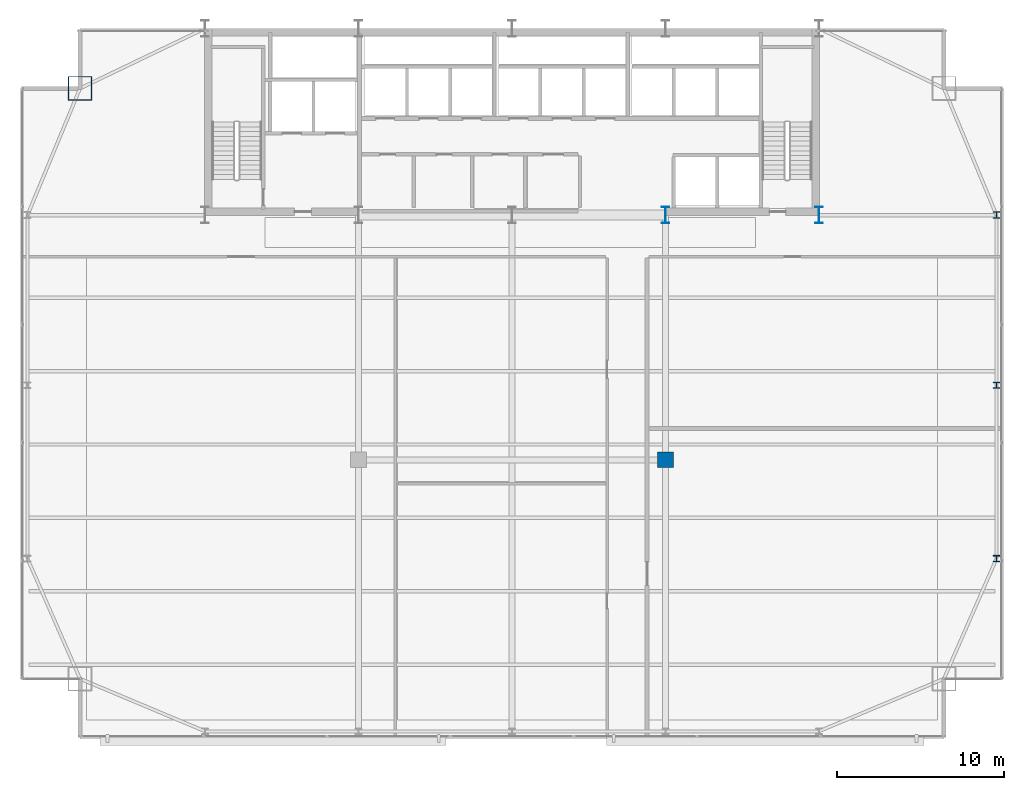
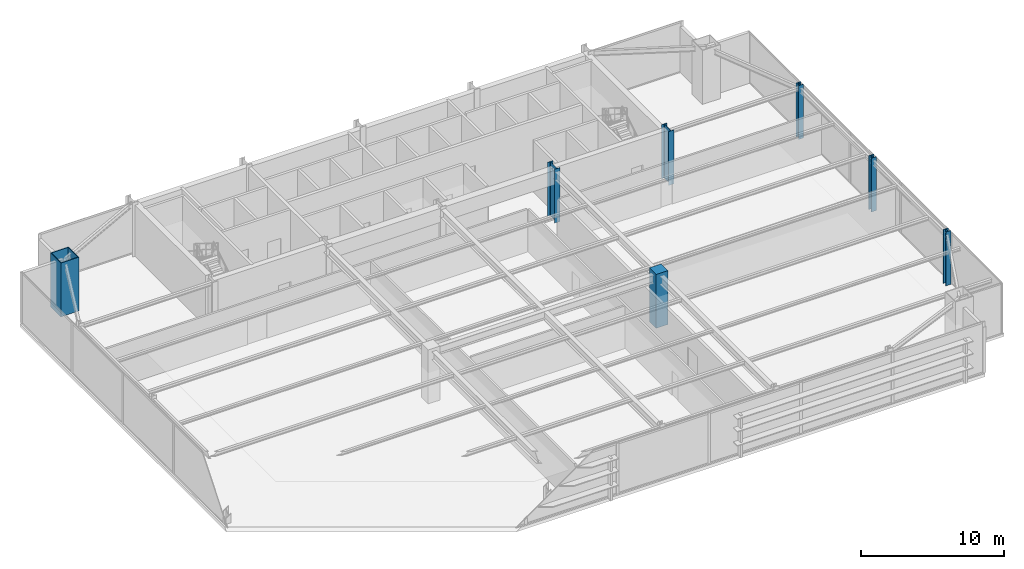
# One storey, part 2 of 32: 7 columns.
"""IFC4 building model written with IfcOpenShell, lengths in metres."""

import ifcopenshell
import ifcopenshell.guid

model = None  # the IFC model being written
_history = None  # IfcOwnerHistory: only IFC2X3 demands one
_inside = {}  # id of a spatial element -> (the spatial element, [elements in it])
_under = {}  # id of a project, library or spatial element -> (it, [spatial elements below it])
_declared = {}  # id of a project -> (the project, [libraries it declares])
_typed = {}  # id of a type object -> (the type object, [elements of that type])
_made_of = {}  # id of a material, layer set ... -> (it, [elements and type objects made of it])


def new_model(schema):
    """Start an empty IFC model of exactly this schema.

    Asked for "IFC4X3", IfcOpenShell would pick the latest addendum, in which some entities
    have other attributes; the version numbers below select the first issue.
    IFC2X3 requires an IfcOwnerHistory on every rooted entity: one is made here for all.
    """
    global model, _history
    if schema == "IFC4X3":
        model = ifcopenshell.file(schema_version=(4, 3, 0, 0))
    else:
        model = ifcopenshell.file(schema=schema)
    _inside.clear()
    _under.clear()
    _declared.clear()
    _typed.clear()
    _made_of.clear()
    _history = None
    if model.schema == "IFC2X3":
        org = make("IfcOrganization", Name="unknown")
        user = make(
            "IfcPersonAndOrganization",
            ThePerson=make("IfcPerson", FamilyName="unknown"),
            TheOrganization=org,
        )
        app = make(
            "IfcApplication",
            ApplicationDeveloper=org,
            Version="unknown",
            ApplicationFullName="unknown",
            ApplicationIdentifier="unknown",
        )
        _history = make(
            "IfcOwnerHistory",
            OwningUser=user,
            OwningApplication=app,
            ChangeAction="ADDED",
            CreationDate=0,
        )
    return model


def make(cls, **values):
    """One entity of the class cls with the attributes given. An attribute that is None is left unset."""
    return model.create_entity(
        cls, **{name: value for name, value in values.items() if value is not None}
    )


def rooted(cls, **values):
    """An entity with a GlobalId (a new one), such as an element, a storey or a relation."""
    return make(cls, GlobalId=ifcopenshell.guid.new(), OwnerHistory=_history, **values)


def si_unit(unit_type, name, prefix=None):
    """IfcSIUnit, for example si_unit("LENGTHUNIT", "METRE", prefix="MILLI")."""
    return make("IfcSIUnit", UnitType=unit_type, Prefix=prefix, Name=name)


def assignment(units):
    """IfcUnitAssignment: the units of a project."""
    return None if units is None else make("IfcUnitAssignment", Units=units)


def point(xyz):
    """IfcCartesianPoint."""
    return None if xyz is None else make("IfcCartesianPoint", Coordinates=xyz)


def direction(xyz):
    """IfcDirection."""
    return None if xyz is None else make("IfcDirection", DirectionRatios=xyz)


def frame(location, z_axis=None, x_axis=None):
    """IfcAxis2Placement3D, a coordinate frame: its origin and axes. An axis left out is left unset."""
    return make(
        "IfcAxis2Placement3D",
        Location=point(location),
        Axis=direction(z_axis),
        RefDirection=direction(x_axis),
    )


def frame_2d(location, x_axis=None):
    """IfcAxis2Placement2D, a coordinate frame in the plane: its origin and x axis."""
    return make(
        "IfcAxis2Placement2D", Location=point(location), RefDirection=direction(x_axis)
    )


def origin():
    """The frame at (0, 0, 0) with its axes left unset."""
    return frame((0.0, 0.0, 0.0))


def origin_2d():
    """The frame at (0, 0) in the plane with its x axis left unset."""
    return frame_2d((0.0, 0.0))


def place(relative_to, where):
    """IfcLocalPlacement: puts the frame where relative to a parent placement (None: the world)."""
    return make(
        "IfcLocalPlacement", PlacementRelTo=relative_to, RelativePlacement=where
    )


def context(
    kind, dimensions, precision=None, world=None, true_north=None, identifier=None
):
    """IfcGeometricRepresentationContext, for example the 3D "Model" context."""
    return make(
        "IfcGeometricRepresentationContext",
        ContextIdentifier=identifier,
        ContextType=kind,
        CoordinateSpaceDimension=dimensions,
        Precision=precision,
        WorldCoordinateSystem=world,
        TrueNorth=true_north,
    )


def subcontext(parent, identifier, kind, view, scale=None):
    """IfcGeometricRepresentationSubContext, for example "Body" below "Model"."""
    return make(
        "IfcGeometricRepresentationSubContext",
        ContextIdentifier=identifier,
        ContextType=kind,
        ParentContext=parent,
        TargetScale=scale,
        TargetView=view,
    )


def project(units=None, contexts=None):
    """IfcProject with its units and contexts."""
    return rooted(
        "IfcProject",
        Name="project",
        RepresentationContexts=contexts,
        UnitsInContext=assignment(units),
    )


def spatial(cls, under=None, at=None, **own):
    """A site, building, storey or space (cls), placed at a placement, below another one or the project."""
    s = rooted(cls, ObjectPlacement=at, **own)
    if under is not None:
        _under.setdefault(under.id(), (under, []))[1].append(s)
    return s


def profile(cls, at=None, kind="AREA", **sizes):
    """A parametric profile (cls). Its sizes go by their IFC names, for example OverallWidth=200.0."""
    return make(cls, ProfileType=kind, Position=at, **sizes)


def rectangle(**sizes):
    """IfcRectangleProfileDef."""
    return profile("IfcRectangleProfileDef", **sizes)


def hollow_rectangle(**sizes):
    """IfcRectangleHollowProfileDef."""
    return profile("IfcRectangleHollowProfileDef", **sizes)


def i_section(**sizes):
    """IfcIShapeProfileDef."""
    return profile("IfcIShapeProfileDef", **sizes)


def extrude(swept, where, along, depth):
    """IfcExtrudedAreaSolid: the profile swept, set in the frame where, extruded along a direction by depth."""
    return make(
        "IfcExtrudedAreaSolid",
        SweptArea=swept,
        Position=where,
        ExtrudedDirection=direction(along),
        Depth=depth,
    )


def shape(context_of_items, identifier, shape_type, items):
    """IfcShapeRepresentation: the items that make up one representation, for example the "Body"."""
    return make(
        "IfcShapeRepresentation",
        ContextOfItems=context_of_items,
        RepresentationIdentifier=identifier,
        RepresentationType=shape_type,
        Items=items,
    )


def source(mapping_origin, context_of_items, identifier, shape_type, items):
    """IfcRepresentationMap: a shape defined once, which mapped items show again and again."""
    return make(
        "IfcRepresentationMap",
        MappingOrigin=mapping_origin,
        MappedRepresentation=shape(context_of_items, identifier, shape_type, items),
    )


def transform(
    local_origin,
    x_axis=None,
    y_axis=None,
    z_axis=None,
    scale=None,
    scale2=None,
    scale3=None,
    uniform=True,
):
    """IfcCartesianTransformationOperator3D, or its non-uniform kind. x_axis, y_axis, z_axis: its Axis1, 2, 3."""
    if uniform:
        return make(
            "IfcCartesianTransformationOperator3D",
            Axis1=direction(x_axis),
            Axis2=direction(y_axis),
            LocalOrigin=point(local_origin),
            Scale=scale,
            Axis3=direction(z_axis),
        )
    return make(
        "IfcCartesianTransformationOperator3DnonUniform",
        Axis1=direction(x_axis),
        Axis2=direction(y_axis),
        LocalOrigin=point(local_origin),
        Scale=scale,
        Axis3=direction(z_axis),
        Scale2=scale2,
        Scale3=scale3,
    )


def mapped(mapping_source, mapping_target):
    """IfcMappedItem: shows the shape of a source again, moved by a transform."""
    return make(
        "IfcMappedItem", MappingSource=mapping_source, MappingTarget=mapping_target
    )


def material(Name=None, Category=None):
    """IfcMaterial."""
    return make("IfcMaterial", Name=Name, Category=Category)


def material_profile(
    of_material, cross_section, Name=None, Category=None, Priority=None
):
    """IfcMaterialProfile: a cross section and its material."""
    return make(
        "IfcMaterialProfile",
        Name=Name,
        Material=of_material,
        Profile=cross_section,
        Priority=Priority,
        Category=Category,
    )


def profile_set(profiles, Name=None, composite=None):
    """IfcMaterialProfileSet."""
    return make(
        "IfcMaterialProfileSet",
        Name=Name,
        MaterialProfiles=profiles,
        CompositeProfile=composite,
    )


def made_of(thing, what):
    """Note that an element or type object is made of a material, layer set ...; save() writes the relation."""
    if what is not None:
        _made_of.setdefault(what.id(), (what, []))[1].append(thing)
    return thing


def type_object(cls, material=None, **own):
    """A type object (cls), such as IfcWallType, which elements share."""
    return made_of(rooted(cls, **own), material)


def type_shapes(of_type, sources):
    """Give a type object the sources (RepresentationMaps) that its elements show as mapped items."""
    of_type.RepresentationMaps = sources


def element(
    cls,
    number,
    at=None,
    inside=None,
    cuts=None,
    type_object=None,
    material=None,
    context=None,
    identifier="Body",
    shape_type=None,
    held_by="IfcProductDefinitionShape",
    body=None,
    shapes=None,
    **own,
):
    """One element of the class cls, such as IfcWall. Its Tag is "e" and its number.

    at: its placement. inside: the storey or other place that contains it. cuts: it is an
    opening in that element (IfcRelVoidsElement). A single representation is given by context,
    identifier, shape_type and body (its items); several are given by shapes. held_by: the class
    of the entity that holds the representations. save() writes the other relations.
    """
    e = rooted(cls, Tag="e%d" % number, ObjectPlacement=at, **own)
    if body is not None:
        shapes = [shape(context, identifier, shape_type, body)]
    if shapes is not None:
        e.Representation = make(held_by, Representations=shapes)
    if inside is not None:
        _inside.setdefault(inside.id(), (inside, []))[1].append(e)
    if cuts is not None:
        rooted(
            "IfcRelVoidsElement", RelatingBuildingElement=cuts, RelatedOpeningElement=e
        )
    if type_object is not None:
        _typed.setdefault(type_object.id(), (type_object, []))[1].append(e)
    return made_of(e, material)


def aggregate(whole, parts):
    """IfcRelAggregates: a whole, such as a stair, and the parts it consists of."""
    return rooted("IfcRelAggregates", RelatingObject=whole, RelatedObjects=parts)


def save(model, path):
    """Write the relations noted so far, then the file.

    IfcRelAggregates (storeys below a building ...), IfcRelContainedInSpatialStructure (elements
    in a storey), IfcRelDefinesByType, IfcRelAssociatesMaterial and IfcRelDeclares: one each for
    every whole, place, type object, material and project.
    """
    for whole, parts in _under.values():
        aggregate(whole, parts)
    for where, things in _inside.values():
        rooted(
            "IfcRelContainedInSpatialStructure",
            RelatedElements=things,
            RelatingStructure=where,
        )
    for kind, things in _typed.values():
        rooted("IfcRelDefinesByType", RelatedObjects=things, RelatingType=kind)
    for what, things in _made_of.values():
        rooted("IfcRelAssociatesMaterial", RelatedObjects=things, RelatingMaterial=what)
    for by, libraries in _declared.values():
        rooted("IfcRelDeclares", RelatingContext=by, RelatedDefinitions=libraries)
    model.write(path)


model = new_model("IFC4")

# Units and contexts
model_context = context("Model", 3, precision=1e-05, world=origin(), true_north=direction((0.0, 1.0)))
body_context = subcontext(model_context, "Body", "Model", "MODEL_VIEW")
ifc_project = project(units=[si_unit("LENGTHUNIT", "METRE"), si_unit("AREAUNIT", "SQUARE_METRE"), si_unit("VOLUMEUNIT", "CUBIC_METRE"), si_unit("PLANEANGLEUNIT", "RADIAN"), si_unit("MASSUNIT", "GRAM", prefix="KILO")], contexts=[model_context])

# Site, building, storey
site_placement = place(None, origin())
site = spatial("IfcSite", under=ifc_project, at=site_placement, CompositionType="ELEMENT")
building_placement = place(site_placement, origin())
building = spatial("IfcBuilding", under=site, at=building_placement, Name="Varnel Quay Broadcast Tower", CompositionType="ELEMENT")
storey_placement = place(building_placement, frame((0.0, 0.0, 98.39990234375)))
storey = spatial("IfcBuildingStorey", under=building, at=storey_placement, Name="L23", CompositionType="ELEMENT", Elevation=98.39990234375)

# Columns
ifc_material_1 = material(Name="Structural Steel CSA G40.21 350WT", Category="steel")
ifc_material_profile_1 = material_profile(ifc_material_1, i_section(OverallWidth=0.449951171875, OverallDepth=1.0, WebThickness=0.01611328125, FlangeThickness=0.030029296875, FilletRadius=0.01611328125, at=origin_2d()), Name="WWF1000X362")
ifc_profile_set_1 = profile_set([ifc_material_profile_1], Name="Structural Steel CSA G40.21 350WT")
column_type_1 = type_object("IfcColumnType", Name="Col_WWF1000X362", PredefinedType="COLUMN", material=ifc_profile_set_1)
shared_shape_1 = source(origin(), body_context, "Body", "SweptSolid", [
    extrude(i_section(OverallWidth=0.449951171875, OverallDepth=1.0, WebThickness=0.01611328125, FlangeThickness=0.030029296875, FilletRadius=0.01611328125, at=origin_2d()), origin(), (0.0, 0.0, 1.0), 4.60009765625),
])
type_shapes(column_type_1, [shared_shape_1])
for number, where, z_axis, x_axis, name in (
    (1, (43.199951171875, 35.60009765625, 0.0), (0.0, 0.0, 1.0), (1.0, 0.0, 0.0), "L23 Column CC-S4"),
    (2, (52.39990234375, 35.60009765625, 0.0), (0.0, 0.0, 1.0), (1.0, 0.0, 0.0), "L23 Column CC-S5"),
):
    element("IfcColumn", number, at=place(storey_placement, frame(where, z_axis=z_axis, x_axis=x_axis)), inside=storey, type_object=column_type_1, Name=name, PredefinedType="COLUMN", context=body_context, shape_type="MappedRepresentation", body=[
        mapped(shared_shape_1, transform((0.0, 0.0, 0.0), x_axis=(1.0, 0.0, 0.0), y_axis=(0.0, 1.0, 0.0), z_axis=(0.0, 0.0, 1.0), scale=1.0)),
    ])
ifc_material_profile_2 = material_profile(ifc_material_1, hollow_rectangle(XDim=1.449951171875, YDim=1.449951171875, WallThickness=0.054931640625, at=origin_2d()), Name="BOX1450X1450X55")
ifc_profile_set_2 = profile_set([ifc_material_profile_2], Name="Structural Steel CSA G40.21 350WT")
column_type_2 = type_object("IfcColumnType", Name="Col_BOX1450X1450X55", PredefinedType="COLUMN", material=ifc_profile_set_2)
shared_shape_2 = source(origin(), body_context, "Body", "SweptSolid", [
    extrude(hollow_rectangle(XDim=1.449951171875, YDim=1.449951171875, WallThickness=0.054931640625, at=origin_2d()), origin(), (0.0, 0.0, 1.0), 4.60009765625),
])
type_shapes(column_type_2, [shared_shape_2])
column_1_placement = place(storey_placement, frame((8.10009765625, 43.199951171875, 0.0), z_axis=(0.0, 0.0, 1.0), x_axis=(1.0, 0.0, 0.0)))
element("IfcColumn", 3, at=column_1_placement, inside=storey, type_object=column_type_2, Name="L23 Column MC-NW", PredefinedType="COLUMN", context=body_context, shape_type="MappedRepresentation", body=[
    mapped(shared_shape_2, transform((0.0, 0.0, 0.0), x_axis=(1.0, 0.0, 0.0), y_axis=(0.0, 1.0, 0.0), z_axis=(0.0, 0.0, 1.0), scale=1.0)),
])
ifc_material_2 = material(Name="Structural Steel CSA G40.21 350W", Category="steel")
ifc_material_profile_3 = material_profile(ifc_material_2, i_section(OverallWidth=0.39794921875, OverallDepth=0.386962890625, WebThickness=0.02099609375, FlangeThickness=0.033203125, FilletRadius=0.01806640625, at=origin_2d()), Name="W360X262")
ifc_profile_set_3 = profile_set([ifc_material_profile_3], Name="Structural Steel CSA G40.21 350W")
column_type_3 = type_object("IfcColumnType", Name="Col_W360X262", PredefinedType="COLUMN", material=ifc_profile_set_3)
shared_shape_3 = source(origin(), body_context, "Body", "SweptSolid", [
    extrude(i_section(OverallWidth=0.39794921875, OverallDepth=0.386962890625, WebThickness=0.02099609375, FlangeThickness=0.033203125, FilletRadius=0.01806640625, at=origin_2d()), origin(), (0.0, 0.0, 1.0), 4.60009765625),
])
type_shapes(column_type_3, [shared_shape_3])
for number, where, z_axis, x_axis, name in (
    (4, (63.050048828125, 15.0, 0.0), (0.0, 0.0, 1.0), (1.0, 0.0, 0.0), "L23 Column TC-E1"),
    (5, (63.050048828125, 25.39990234375, 0.0), (0.0, 0.0, 1.0), (1.0, 0.0, 0.0), "L23 Column TC-E2"),
    (6, (63.050048828125, 35.60009765625, 0.0), (0.0, 0.0, 1.0), (1.0, 0.0, 0.0), "L23 Column TC-E3"),
):
    element("IfcColumn", number, at=place(storey_placement, frame(where, z_axis=z_axis, x_axis=x_axis)), inside=storey, type_object=column_type_3, Name=name, PredefinedType="COLUMN", context=body_context, shape_type="MappedRepresentation", body=[
        mapped(shared_shape_3, transform((0.0, 0.0, 0.0), x_axis=(1.0, 0.0, 0.0), y_axis=(0.0, 1.0, 0.0), z_axis=(0.0, 0.0, 1.0), scale=1.0)),
    ])
ifc_material_3 = material(Name="Concrete CSA A23.3 C50/60", Category="concrete")
ifc_material_profile_4 = material_profile(ifc_material_3, rectangle(XDim=0.949951171875, YDim=0.949951171875, at=origin_2d()), Name="RC950X950")
ifc_profile_set_4 = profile_set([ifc_material_profile_4], Name="Concrete CSA A23.3 C50/60")
column_type_4 = type_object("IfcColumnType", Name="Col_RC950X950", PredefinedType="COLUMN", material=ifc_profile_set_4)
shared_shape_4 = source(origin(), body_context, "Body", "SweptSolid", [
    extrude(rectangle(XDim=0.949951171875, YDim=0.949951171875, at=origin_2d()), origin(), (0.0, 0.0, 1.0), 4.60009765625),
])
type_shapes(column_type_4, [shared_shape_4])
column_2_placement = place(storey_placement, frame((43.199951171875, 20.929931640625, 0.0), z_axis=(0.0, 0.0, 1.0), x_axis=(1.0, 0.0, 0.0)))
element("IfcColumn", 7, at=column_2_placement, inside=storey, type_object=column_type_4, Name="L23 Column IC-02", PredefinedType="COLUMN", context=body_context, shape_type="MappedRepresentation", body=[
    mapped(shared_shape_4, transform((0.0, 0.0, 0.0), x_axis=(1.0, 0.0, 0.0), y_axis=(0.0, 1.0, 0.0), z_axis=(0.0, 0.0, 1.0), scale=1.0)),
])

save(model, "model.ifc")
